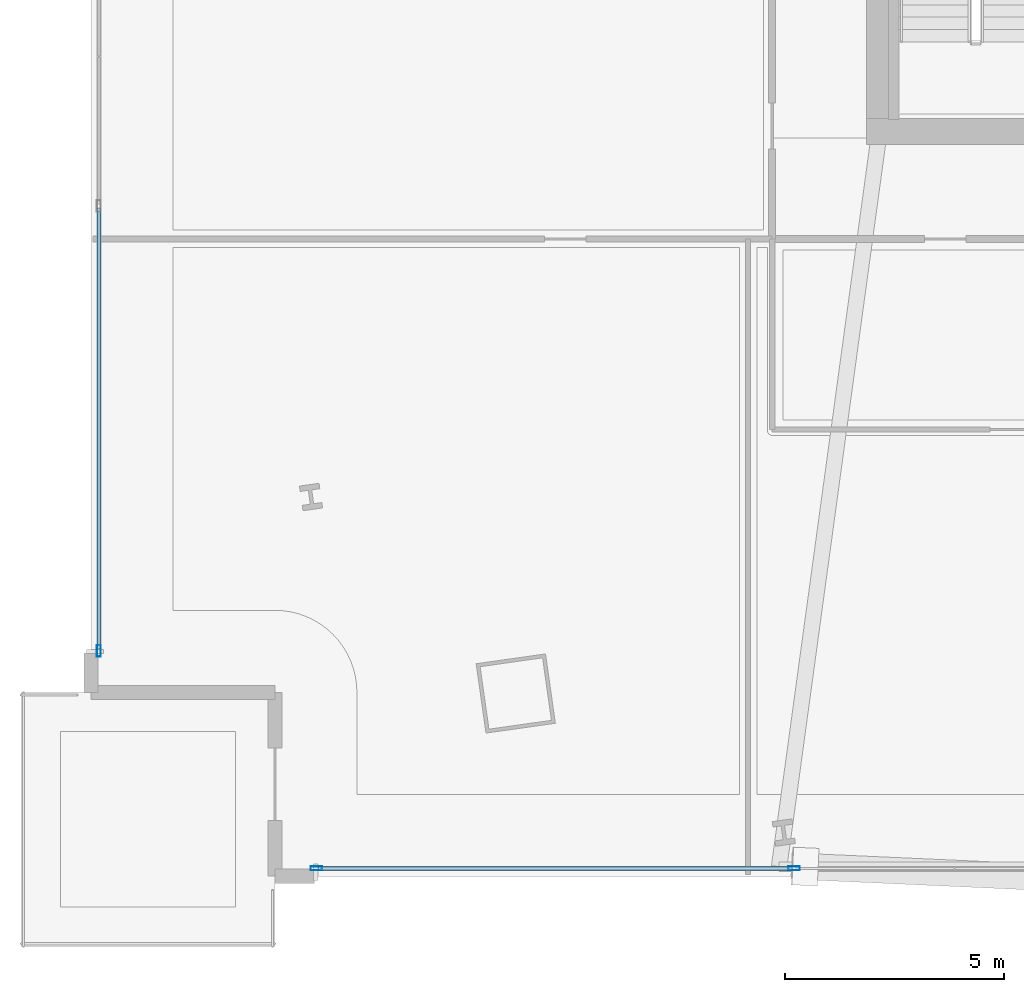
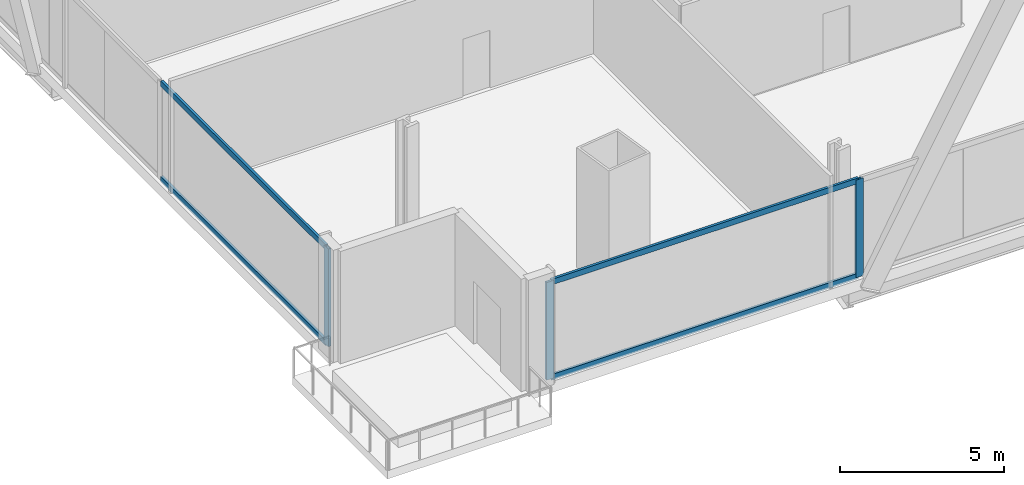
# One storey, part 2 of 29: 7 members, 2 elements without a shape of their own.
"""IFC4 building model written with IfcOpenShell, lengths in metres."""

import ifcopenshell
import ifcopenshell.guid

model = None  # the IFC model being written
_history = None  # IfcOwnerHistory: only IFC2X3 demands one
_inside = {}  # id of a spatial element -> (the spatial element, [elements in it])
_under = {}  # id of a project, library or spatial element -> (it, [spatial elements below it])
_declared = {}  # id of a project -> (the project, [libraries it declares])
_typed = {}  # id of a type object -> (the type object, [elements of that type])
_made_of = {}  # id of a material, layer set ... -> (it, [elements and type objects made of it])


def new_model(schema):
    """Start an empty IFC model of exactly this schema.

    Asked for "IFC4X3", IfcOpenShell would pick the latest addendum, in which some entities
    have other attributes; the version numbers below select the first issue.
    IFC2X3 requires an IfcOwnerHistory on every rooted entity: one is made here for all.
    """
    global model, _history
    if schema == "IFC4X3":
        model = ifcopenshell.file(schema_version=(4, 3, 0, 0))
    else:
        model = ifcopenshell.file(schema=schema)
    _inside.clear()
    _under.clear()
    _declared.clear()
    _typed.clear()
    _made_of.clear()
    _history = None
    if model.schema == "IFC2X3":
        org = make("IfcOrganization", Name="unknown")
        user = make(
            "IfcPersonAndOrganization",
            ThePerson=make("IfcPerson", FamilyName="unknown"),
            TheOrganization=org,
        )
        app = make(
            "IfcApplication",
            ApplicationDeveloper=org,
            Version="unknown",
            ApplicationFullName="unknown",
            ApplicationIdentifier="unknown",
        )
        _history = make(
            "IfcOwnerHistory",
            OwningUser=user,
            OwningApplication=app,
            ChangeAction="ADDED",
            CreationDate=0,
        )
    return model


def make(cls, **values):
    """One entity of the class cls with the attributes given. An attribute that is None is left unset."""
    return model.create_entity(
        cls, **{name: value for name, value in values.items() if value is not None}
    )


def rooted(cls, **values):
    """An entity with a GlobalId (a new one), such as an element, a storey or a relation."""
    return make(cls, GlobalId=ifcopenshell.guid.new(), OwnerHistory=_history, **values)


def si_unit(unit_type, name, prefix=None):
    """IfcSIUnit, for example si_unit("LENGTHUNIT", "METRE", prefix="MILLI")."""
    return make("IfcSIUnit", UnitType=unit_type, Prefix=prefix, Name=name)


def assignment(units):
    """IfcUnitAssignment: the units of a project."""
    return None if units is None else make("IfcUnitAssignment", Units=units)


def point(xyz):
    """IfcCartesianPoint."""
    return None if xyz is None else make("IfcCartesianPoint", Coordinates=xyz)


def direction(xyz):
    """IfcDirection."""
    return None if xyz is None else make("IfcDirection", DirectionRatios=xyz)


def frame(location, z_axis=None, x_axis=None):
    """IfcAxis2Placement3D, a coordinate frame: its origin and axes. An axis left out is left unset."""
    return make(
        "IfcAxis2Placement3D",
        Location=point(location),
        Axis=direction(z_axis),
        RefDirection=direction(x_axis),
    )


def frame_2d(location, x_axis=None):
    """IfcAxis2Placement2D, a coordinate frame in the plane: its origin and x axis."""
    return make(
        "IfcAxis2Placement2D", Location=point(location), RefDirection=direction(x_axis)
    )


def origin():
    """The frame at (0, 0, 0) with its axes left unset."""
    return frame((0.0, 0.0, 0.0))


def origin_2d():
    """The frame at (0, 0) in the plane with its x axis left unset."""
    return frame_2d((0.0, 0.0))


def place(relative_to, where):
    """IfcLocalPlacement: puts the frame where relative to a parent placement (None: the world)."""
    return make(
        "IfcLocalPlacement", PlacementRelTo=relative_to, RelativePlacement=where
    )


def context(
    kind, dimensions, precision=None, world=None, true_north=None, identifier=None
):
    """IfcGeometricRepresentationContext, for example the 3D "Model" context."""
    return make(
        "IfcGeometricRepresentationContext",
        ContextIdentifier=identifier,
        ContextType=kind,
        CoordinateSpaceDimension=dimensions,
        Precision=precision,
        WorldCoordinateSystem=world,
        TrueNorth=true_north,
    )


def subcontext(parent, identifier, kind, view, scale=None):
    """IfcGeometricRepresentationSubContext, for example "Body" below "Model"."""
    return make(
        "IfcGeometricRepresentationSubContext",
        ContextIdentifier=identifier,
        ContextType=kind,
        ParentContext=parent,
        TargetScale=scale,
        TargetView=view,
    )


def project(units=None, contexts=None):
    """IfcProject with its units and contexts."""
    return rooted(
        "IfcProject",
        Name="project",
        RepresentationContexts=contexts,
        UnitsInContext=assignment(units),
    )


def spatial(cls, under=None, at=None, **own):
    """A site, building, storey or space (cls), placed at a placement, below another one or the project."""
    s = rooted(cls, ObjectPlacement=at, **own)
    if under is not None:
        _under.setdefault(under.id(), (under, []))[1].append(s)
    return s


def profile(cls, at=None, kind="AREA", **sizes):
    """A parametric profile (cls). Its sizes go by their IFC names, for example OverallWidth=200.0."""
    return make(cls, ProfileType=kind, Position=at, **sizes)


def hollow_rectangle(**sizes):
    """IfcRectangleHollowProfileDef."""
    return profile("IfcRectangleHollowProfileDef", **sizes)


def extrude(swept, where, along, depth):
    """IfcExtrudedAreaSolid: the profile swept, set in the frame where, extruded along a direction by depth."""
    return make(
        "IfcExtrudedAreaSolid",
        SweptArea=swept,
        Position=where,
        ExtrudedDirection=direction(along),
        Depth=depth,
    )


def shape(context_of_items, identifier, shape_type, items):
    """IfcShapeRepresentation: the items that make up one representation, for example the "Body"."""
    return make(
        "IfcShapeRepresentation",
        ContextOfItems=context_of_items,
        RepresentationIdentifier=identifier,
        RepresentationType=shape_type,
        Items=items,
    )


def material(Name=None, Category=None):
    """IfcMaterial."""
    return make("IfcMaterial", Name=Name, Category=Category)


def material_profile(
    of_material, cross_section, Name=None, Category=None, Priority=None
):
    """IfcMaterialProfile: a cross section and its material."""
    return make(
        "IfcMaterialProfile",
        Name=Name,
        Material=of_material,
        Profile=cross_section,
        Priority=Priority,
        Category=Category,
    )


def profile_set(profiles, Name=None, composite=None):
    """IfcMaterialProfileSet."""
    return make(
        "IfcMaterialProfileSet",
        Name=Name,
        MaterialProfiles=profiles,
        CompositeProfile=composite,
    )


def made_of(thing, what):
    """Note that an element or type object is made of a material, layer set ...; save() writes the relation."""
    if what is not None:
        _made_of.setdefault(what.id(), (what, []))[1].append(thing)
    return thing


def type_object(cls, material=None, **own):
    """A type object (cls), such as IfcWallType, which elements share."""
    return made_of(rooted(cls, **own), material)


def element(
    cls,
    number,
    at=None,
    inside=None,
    cuts=None,
    type_object=None,
    material=None,
    context=None,
    identifier="Body",
    shape_type=None,
    held_by="IfcProductDefinitionShape",
    body=None,
    shapes=None,
    **own,
):
    """One element of the class cls, such as IfcWall. Its Tag is "e" and its number.

    at: its placement. inside: the storey or other place that contains it. cuts: it is an
    opening in that element (IfcRelVoidsElement). A single representation is given by context,
    identifier, shape_type and body (its items); several are given by shapes. held_by: the class
    of the entity that holds the representations. save() writes the other relations.
    """
    e = rooted(cls, Tag="e%d" % number, ObjectPlacement=at, **own)
    if body is not None:
        shapes = [shape(context, identifier, shape_type, body)]
    if shapes is not None:
        e.Representation = make(held_by, Representations=shapes)
    if inside is not None:
        _inside.setdefault(inside.id(), (inside, []))[1].append(e)
    if cuts is not None:
        rooted(
            "IfcRelVoidsElement", RelatingBuildingElement=cuts, RelatedOpeningElement=e
        )
    if type_object is not None:
        _typed.setdefault(type_object.id(), (type_object, []))[1].append(e)
    return made_of(e, material)


def aggregate(whole, parts):
    """IfcRelAggregates: a whole, such as a stair, and the parts it consists of."""
    return rooted("IfcRelAggregates", RelatingObject=whole, RelatedObjects=parts)


def save(model, path):
    """Write the relations noted so far, then the file.

    IfcRelAggregates (storeys below a building ...), IfcRelContainedInSpatialStructure (elements
    in a storey), IfcRelDefinesByType, IfcRelAssociatesMaterial and IfcRelDeclares: one each for
    every whole, place, type object, material and project.
    """
    for whole, parts in _under.values():
        aggregate(whole, parts)
    for where, things in _inside.values():
        rooted(
            "IfcRelContainedInSpatialStructure",
            RelatedElements=things,
            RelatingStructure=where,
        )
    for kind, things in _typed.values():
        rooted("IfcRelDefinesByType", RelatedObjects=things, RelatingType=kind)
    for what, things in _made_of.values():
        rooted("IfcRelAssociatesMaterial", RelatedObjects=things, RelatingMaterial=what)
    for by, libraries in _declared.values():
        rooted("IfcRelDeclares", RelatingContext=by, RelatedDefinitions=libraries)
    model.write(path)


model = new_model("IFC4")

# Units and contexts
model_context = context("Model", 3, precision=1e-05, world=origin(), true_north=direction((0.0, 1.0)))
body_context = subcontext(model_context, "Body", "Model", "MODEL_VIEW")
ifc_project = project(units=[si_unit("LENGTHUNIT", "METRE"), si_unit("AREAUNIT", "SQUARE_METRE"), si_unit("VOLUMEUNIT", "CUBIC_METRE"), si_unit("PLANEANGLEUNIT", "RADIAN"), si_unit("MASSUNIT", "GRAM", prefix="KILO")], contexts=[model_context])

# Site, building, storey
site_placement = place(None, origin())
site = spatial("IfcSite", under=ifc_project, at=site_placement, CompositionType="ELEMENT")
building_placement = place(site_placement, origin())
building = spatial("IfcBuilding", under=site, at=building_placement, Name="Haldenkirk Collegiate Tower", CompositionType="ELEMENT")
storey_placement = place(building_placement, frame((0.0, 0.0, 28.199951171875)))
storey = spatial("IfcBuildingStorey", under=building, at=storey_placement, Name="L05", CompositionType="ELEMENT", Elevation=28.199951171875)

# Curtain wall, members
ifc_material = material(Name="Anodised architectural bronze aluminium", Category="aluminium")
curtain_wall_type = type_object("IfcCurtainWallType", Name="CW-SYS4-SKYGARDEN", PredefinedType="USERDEFINED", material=ifc_material)
curtain_wall_1_placement = place(storey_placement, origin())
curtain_wall_1 = element("IfcCurtainWall", 1, at=curtain_wall_1_placement, inside=storey, type_object=curtain_wall_type, Name="L05 Sky-garden tall bronze curtain wall", ObjectType="UNITISED CURTAIN WALL", PredefinedType="USERDEFINED")
ifc_material_profile_1 = material_profile(ifc_material, hollow_rectangle(XDim=0.090087890625, YDim=0.260009765625, WallThickness=0.0048828125, at=origin_2d()), Name="CW-MUL-04")
ifc_profile_set_1 = profile_set([ifc_material_profile_1], Name="Anodised architectural bronze aluminium")
member_type_1 = type_object("IfcMemberType", Name="CW-MUL-04", PredefinedType="MULLION", material=ifc_profile_set_1)
member_1_placement = place(storey_placement, frame((25.050048828125, 1.179931640625, 0.0), z_axis=(0.0, 0.0, 1.0), x_axis=(0.0, -1.0, 0.0)))
member_1 = element("IfcMember", 2, at=member_1_placement, type_object=member_type_1, Name="CW-04 mullion 4", PredefinedType="MULLION", context=body_context, shape_type="SweptSolid", body=[
    extrude(hollow_rectangle(XDim=0.090087890625, YDim=0.260009765625, WallThickness=0.0048828125, at=origin_2d()), origin(), (0.0, 0.0, 1.0), 3.64111328125),
])
member_2_placement = place(storey_placement, frame((14.14501953125, 1.179931640625, 0.0), z_axis=(0.0, 0.0, 1.0), x_axis=(0.0, -1.0, 0.0)))
member_2 = element("IfcMember", 3, at=member_2_placement, type_object=member_type_1, Name="CW-04 mullion 5", PredefinedType="MULLION", context=body_context, shape_type="SweptSolid", body=[
    extrude(hollow_rectangle(XDim=0.090087890625, YDim=0.260009765625, WallThickness=0.0048828125, at=origin_2d()), origin(), (0.0, 0.0, 1.0), 3.64111328125),
])

# Curtain wall, member
curtain_wall_2_placement = place(storey_placement, origin())
curtain_wall_2 = element("IfcCurtainWall", 4, at=curtain_wall_2_placement, inside=storey, type_object=curtain_wall_type, Name="L05 Sky-garden tall bronze curtain wall", ObjectType="UNITISED CURTAIN WALL", PredefinedType="USERDEFINED")
member_3_placement = place(storey_placement, frame((9.179931640625, 6.14501953125, 0.0), z_axis=(0.0, 0.0, 1.0), x_axis=(-1.0, 0.0, 0.0)))
member_3 = element("IfcMember", 5, at=member_3_placement, type_object=member_type_1, Name="CW-04 mullion 1", PredefinedType="MULLION", context=body_context, shape_type="SweptSolid", body=[
    extrude(hollow_rectangle(XDim=0.090087890625, YDim=0.260009765625, WallThickness=0.0048828125, at=origin_2d()), origin(), (0.0, 0.0, 1.0), 3.64111328125),
])

# Member
ifc_material_profile_2 = material_profile(ifc_material, hollow_rectangle(XDim=0.090087890625, YDim=0.2099609375, WallThickness=0.0048828125, at=origin_2d()), Name="CW-TRN-04")
ifc_profile_set_2 = profile_set([ifc_material_profile_2], Name="Anodised architectural bronze aluminium")
member_type_2 = type_object("IfcMemberType", Name="CW-TRN-04", PredefinedType="USERDEFINED", material=ifc_profile_set_2)
member_4_placement = place(storey_placement, frame((25.0048828125, 1.179931640625, 0.045166015625), z_axis=(-1.0, 0.0, 0.0), x_axis=(0.0, -1.0, 0.0)))
member_4 = element("IfcMember", 6, at=member_4_placement, type_object=member_type_2, Name="CW-04 transom 4.1", ObjectType="TRANSOM", PredefinedType="USERDEFINED", context=body_context, shape_type="SweptSolid", body=[
    extrude(hollow_rectangle(XDim=0.090087890625, YDim=0.2099609375, WallThickness=0.0048828125, at=origin_2d()), origin(), (0.0, 0.0, 1.0), 10.81494140625),
])

member_5_placement = place(storey_placement, frame((25.0048828125, 1.179931640625, 3.595947265625), z_axis=(-1.0, 0.0, 0.0), x_axis=(0.0, -1.0, 0.0)))
member_5 = element("IfcMember", 7, at=member_5_placement, type_object=member_type_2, Name="CW-04 transom 4.2", ObjectType="TRANSOM", PredefinedType="USERDEFINED", context=body_context, shape_type="SweptSolid", body=[
    extrude(hollow_rectangle(XDim=0.090087890625, YDim=0.2099609375, WallThickness=0.0048828125, at=origin_2d()), origin(), (0.0, 0.0, 1.0), 10.81494140625),
])

aggregate(curtain_wall_1, [member_1, member_2, member_4, member_5])

member_6_placement = place(storey_placement, frame((9.179931640625, 6.18994140625, 0.045166015625), z_axis=(0.0, 1.0, 0.0), x_axis=(-1.0, 0.0, 0.0)))
member_6 = element("IfcMember", 8, at=member_6_placement, type_object=member_type_2, Name="CW-04 transom 1.1", ObjectType="TRANSOM", PredefinedType="USERDEFINED", context=body_context, shape_type="SweptSolid", body=[
    extrude(hollow_rectangle(XDim=0.090087890625, YDim=0.2099609375, WallThickness=0.0048828125, at=origin_2d()), origin(), (0.0, 0.0, 1.0), 10.06494140625),
])

member_7_placement = place(storey_placement, frame((9.179931640625, 6.18994140625, 3.595947265625), z_axis=(0.0, 1.0, 0.0), x_axis=(-1.0, 0.0, 0.0)))
member_7 = element("IfcMember", 9, at=member_7_placement, type_object=member_type_2, Name="CW-04 transom 1.2", ObjectType="TRANSOM", PredefinedType="USERDEFINED", context=body_context, shape_type="SweptSolid", body=[
    extrude(hollow_rectangle(XDim=0.090087890625, YDim=0.2099609375, WallThickness=0.0048828125, at=origin_2d()), origin(), (0.0, 0.0, 1.0), 10.06494140625),
])

aggregate(curtain_wall_2, [member_3, member_6, member_7])

save(model, "model.ifc")
